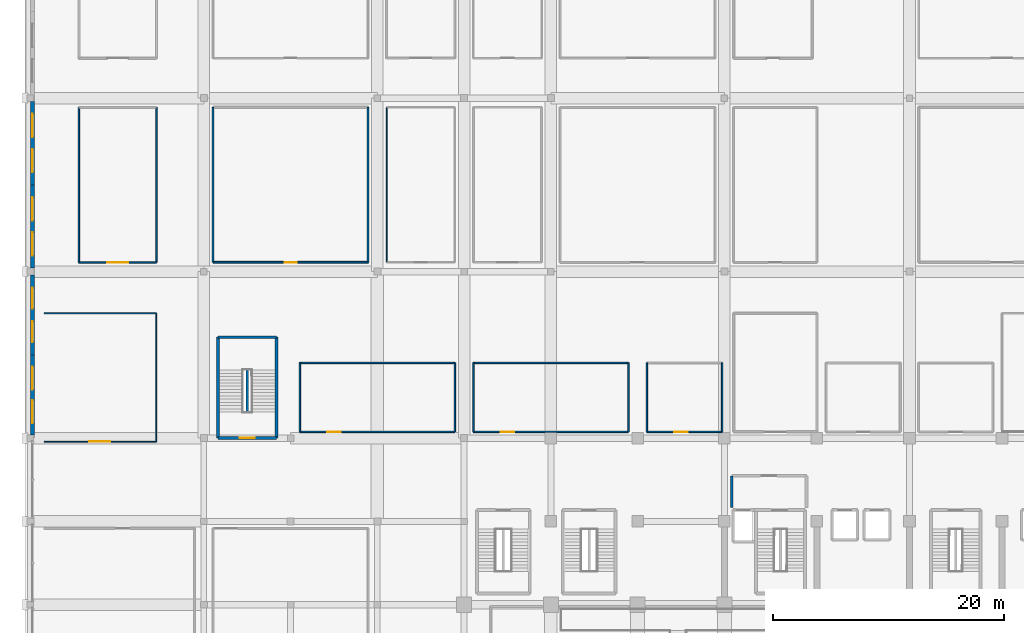
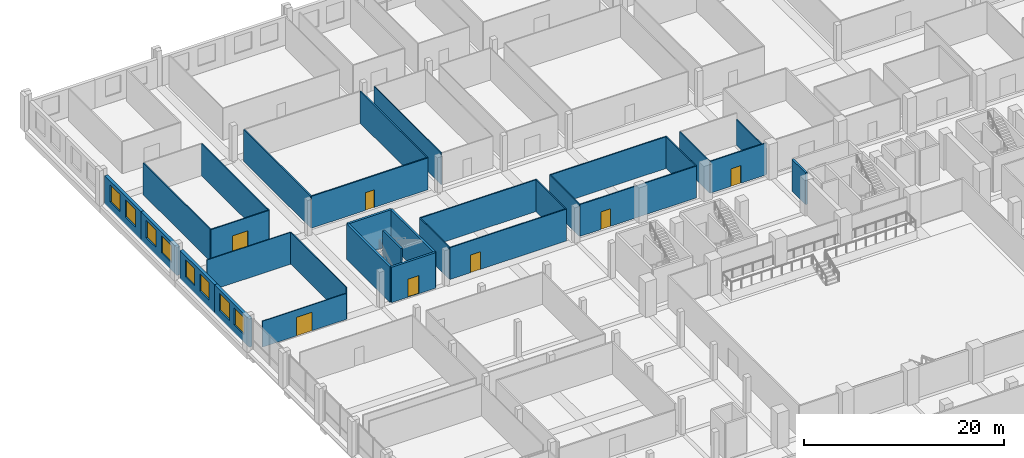
# One storey, part 46 of 68: 31 walls, 8 windows, 7 doors, 15 openings.
"""IFC4 building model written with IfcOpenShell, lengths in metres."""

from ifc_helpers import new_model, si_unit, direction, frame, frame_2d, origin, place, context, subcontext, project, spatial, rectangle, extrude, material, layer, layer_set, type_object, element, fill, save


model = new_model("IFC4")

# Units and contexts
model_context = context("Model", 3, precision=1e-05, world=origin(), true_north=direction((0.0, 1.0)))
body_context = subcontext(model_context, "Body", "Model", "MODEL_VIEW")
ifc_project = project(units=[si_unit("LENGTHUNIT", "METRE"), si_unit("AREAUNIT", "SQUARE_METRE"), si_unit("VOLUMEUNIT", "CUBIC_METRE"), si_unit("PLANEANGLEUNIT", "RADIAN"), si_unit("MASSUNIT", "GRAM", prefix="KILO")], contexts=[model_context])

# Site, building, storey
site_placement = place(None, origin())
site = spatial("IfcSite", under=ifc_project, at=site_placement, CompositionType="ELEMENT")
building_placement = place(site_placement, origin())
building = spatial("IfcBuilding", under=site, at=building_placement, Name="Akrevak Sports Hall", CompositionType="ELEMENT")
storey_placement = place(building_placement, frame((0.0, 0.0, 9.39990234375)))
storey = spatial("IfcBuildingStorey", under=building, at=storey_placement, Name="L02", CompositionType="ELEMENT", Elevation=9.39990234375)

# Wall, openings, windows
ifc_material_1 = material(Name="Limestone Ashlar", Category="stone")
ifc_layer_1 = layer(ifc_material_1, 0.080078125, Name="Limestone Ashlar")
ifc_material_2 = material(Name="Mineral Wool Thermal Insulation", Category="insulation")
ifc_layer_2 = layer(ifc_material_2, 0.10009765625, Name="Mineral Wool Thermal Insulation")
ifc_material_3 = material(Name="Concrete C40/50", Category="concrete")
ifc_layer_3 = layer(ifc_material_3, 0.179931640625, Name="Concrete C40/50")
ifc_layer_set_1 = layer_set([ifc_layer_1, ifc_layer_2, ifc_layer_3], Name="Limestone Ashlar / Mineral Wool Thermal Insulation / Concrete C40/50")
wall_type_1 = type_object("IfcWallType", Name="ARC-WL-EXT-360", PredefinedType="SOLIDWALL", material=ifc_layer_set_1)
wall_1_placement = place(storey_placement, frame((0.179931640625, 76.800048828125, 0.0), z_axis=(0.0, 0.0, 1.0), x_axis=(0.0, -1.0, 0.0)))
wall_1 = element("IfcWall", 1, at=wall_1_placement, inside=storey, type_object=wall_type_1, Name="Exterior Limestone Wall L02-W09", PredefinedType="SOLIDWALL", context=body_context, shape_type="SweptSolid", body=[
    extrude(rectangle(XDim=6.925048828125, YDim=0.360107421875, at=frame_2d((3.46240234375, 0.0))), origin(), (0.0, 0.0, 1.0), 3.4501953125),
])
opening_1_placement = place(wall_1_placement, frame((3.916748046875, 0.0, 0.919921875)))
opening_1 = element("IfcOpeningElement", 2, at=opening_1_placement, cuts=wall_1, Name="Opening WN-36", PredefinedType="OPENING", context=body_context, shape_type="SweptSolid", body=[
    extrude(rectangle(XDim=2.0, YDim=2.10009765625, at=frame_2d((1.0, 1.050048828125))), frame((0.0, 0.19189453125, 0.0), z_axis=(0.0, -1.0, 0.0), x_axis=(1.0, 0.0, 0.0)), (0.0, 0.0, 1.0), 0.384033203125),
])
opening_2_placement = place(wall_1_placement, frame((1.00830078125, 0.0, 0.919921875)))
opening_2 = element("IfcOpeningElement", 3, at=opening_2_placement, cuts=wall_1, Name="Opening WN-36", PredefinedType="OPENING", context=body_context, shape_type="SweptSolid", body=[
    extrude(rectangle(XDim=2.0, YDim=2.10009765625, at=frame_2d((1.0, 1.050048828125))), frame((0.0, 0.19189453125, 0.0), z_axis=(0.0, -1.0, 0.0), x_axis=(1.0, 0.0, 0.0)), (0.0, 0.0, 1.0), 0.384033203125),
])
ifc_material_4 = material(Name="Thermally Broken Bronze Frame & Double Low-E Glass", Category="glass")
window_type_1 = type_object("IfcWindowType", Name="ARC-WIN-SZ-2000x2100", PartitioningType="SINGLE_PANEL", PredefinedType="WINDOW", material=ifc_material_4)
window_1_placement = place(opening_1_placement, origin())
window_1 = element("IfcWindow", 4, at=window_1_placement, inside=storey, type_object=window_type_1, Name="Beaux-Arts Facade Window WIN-L02-W09-1", OverallHeight=2.10009765625, OverallWidth=2.0, PartitioningType="SINGLE_PANEL", PredefinedType="WINDOW", context=body_context, shape_type="SweptSolid", body=[
    extrude(rectangle(XDim=2.0, YDim=2.10009765625, at=frame_2d((1.0, 1.050048828125))), frame((0.0, 0.030029296875, 0.0), z_axis=(0.0, -1.0, 0.0), x_axis=(1.0, 0.0, 0.0)), (0.0, 0.0, 1.0), 0.06005859375),
])
fill(opening_1, window_1)
window_2_placement = place(opening_2_placement, origin())
window_2 = element("IfcWindow", 5, at=window_2_placement, inside=storey, type_object=window_type_1, Name="Beaux-Arts Facade Window WIN-L02-W09-2", OverallHeight=2.10009765625, OverallWidth=2.0, PartitioningType="SINGLE_PANEL", PredefinedType="WINDOW", context=body_context, shape_type="SweptSolid", body=[
    extrude(rectangle(XDim=2.0, YDim=2.10009765625, at=frame_2d((1.0, 1.050048828125))), frame((0.0, 0.030029296875, 0.0), z_axis=(0.0, -1.0, 0.0), x_axis=(1.0, 0.0, 0.0)), (0.0, 0.0, 1.0), 0.06005859375),
])
fill(opening_2, window_2)

wall_2_placement = place(storey_placement, frame((0.179931640625, 83.699951171875, 0.0), z_axis=(0.0, 0.0, 1.0), x_axis=(0.0, -1.0, 0.0)))
wall_2 = element("IfcWall", 6, at=wall_2_placement, inside=storey, type_object=wall_type_1, Name="Exterior Limestone Wall L02-W10", PredefinedType="SOLIDWALL", context=body_context, shape_type="SweptSolid", body=[
    extrude(rectangle(XDim=6.89990234375, YDim=0.360107421875, at=frame_2d((3.449951171875, 0.0))), origin(), (0.0, 0.0, 1.0), 3.4501953125),
])
opening_3_placement = place(wall_2_placement, frame((3.9990234375, 0.0, 0.919921875)))
opening_3 = element("IfcOpeningElement", 7, at=opening_3_placement, cuts=wall_2, Name="Opening WN-37", PredefinedType="OPENING", context=body_context, shape_type="SweptSolid", body=[
    extrude(rectangle(XDim=1.800048828125, YDim=2.10009765625, at=frame_2d((0.89990234375, 1.050048828125))), frame((0.0, 0.19189453125, 0.0), z_axis=(0.0, -1.0, 0.0), x_axis=(1.0, 0.0, 0.0)), (0.0, 0.0, 1.0), 0.384033203125),
])
opening_4_placement = place(wall_2_placement, frame((1.10107421875, 0.0, 0.919921875)))
opening_4 = element("IfcOpeningElement", 8, at=opening_4_placement, cuts=wall_2, Name="Opening WN-37", PredefinedType="OPENING", context=body_context, shape_type="SweptSolid", body=[
    extrude(rectangle(XDim=1.800048828125, YDim=2.10009765625, at=frame_2d((0.89990234375, 1.050048828125))), frame((0.0, 0.19189453125, 0.0), z_axis=(0.0, -1.0, 0.0), x_axis=(1.0, 0.0, 0.0)), (0.0, 0.0, 1.0), 0.384033203125),
])
window_type_2 = type_object("IfcWindowType", Name="ARC-WIN-SZ-1800x2100", PartitioningType="SINGLE_PANEL", PredefinedType="WINDOW", material=ifc_material_4)
window_3_placement = place(opening_3_placement, origin())
window_3 = element("IfcWindow", 9, at=window_3_placement, inside=storey, type_object=window_type_2, Name="Beaux-Arts Facade Window WIN-L02-W10-1", OverallHeight=2.10009765625, OverallWidth=1.800048828125, PartitioningType="SINGLE_PANEL", PredefinedType="WINDOW", context=body_context, shape_type="SweptSolid", body=[
    extrude(rectangle(XDim=1.800048828125, YDim=2.10009765625, at=frame_2d((0.89990234375, 1.050048828125))), frame((0.0, 0.030029296875, 0.0), z_axis=(0.0, -1.0, 0.0), x_axis=(1.0, 0.0, 0.0)), (0.0, 0.0, 1.0), 0.06005859375),
])
fill(opening_3, window_3)
window_4_placement = place(opening_4_placement, origin())
window_4 = element("IfcWindow", 10, at=window_4_placement, inside=storey, type_object=window_type_2, Name="Beaux-Arts Facade Window WIN-L02-W10-2", OverallHeight=2.10009765625, OverallWidth=1.800048828125, PartitioningType="SINGLE_PANEL", PredefinedType="WINDOW", context=body_context, shape_type="SweptSolid", body=[
    extrude(rectangle(XDim=1.800048828125, YDim=2.10009765625, at=frame_2d((0.89990234375, 1.050048828125))), frame((0.0, 0.030029296875, 0.0), z_axis=(0.0, -1.0, 0.0), x_axis=(1.0, 0.0, 0.0)), (0.0, 0.0, 1.0), 0.06005859375),
])
fill(opening_4, window_4)

wall_3_placement = place(storey_placement, frame((0.179931640625, 91.5, 0.0), z_axis=(0.0, 0.0, 1.0), x_axis=(0.0, -1.0, 0.0)))
wall_3 = element("IfcWall", 11, at=wall_3_placement, inside=storey, type_object=wall_type_1, Name="Exterior Limestone Wall L02-W11", PredefinedType="SOLIDWALL", context=body_context, shape_type="SweptSolid", body=[
    extrude(rectangle(XDim=7.199951171875, YDim=0.360107421875, at=frame_2d((3.60009765625, 0.0))), origin(), (0.0, 0.0, 1.0), 3.4501953125),
])
opening_5_placement = place(wall_3_placement, frame((4.112060546875, 0.0, 0.919921875)))
opening_5 = element("IfcOpeningElement", 12, at=opening_5_placement, cuts=wall_3, Name="Opening WN-36", PredefinedType="OPENING", context=body_context, shape_type="SweptSolid", body=[
    extrude(rectangle(XDim=2.0, YDim=2.10009765625, at=frame_2d((1.0, 1.050048828125))), frame((0.0, 0.19189453125, 0.0), z_axis=(0.0, -1.0, 0.0), x_axis=(1.0, 0.0, 0.0)), (0.0, 0.0, 1.0), 0.384033203125),
])
opening_6_placement = place(wall_3_placement, frame((1.087890625, 0.0, 0.919921875)))
opening_6 = element("IfcOpeningElement", 13, at=opening_6_placement, cuts=wall_3, Name="Opening WN-36", PredefinedType="OPENING", context=body_context, shape_type="SweptSolid", body=[
    extrude(rectangle(XDim=2.0, YDim=2.10009765625, at=frame_2d((1.0, 1.050048828125))), frame((0.0, 0.19189453125, 0.0), z_axis=(0.0, -1.0, 0.0), x_axis=(1.0, 0.0, 0.0)), (0.0, 0.0, 1.0), 0.384033203125),
])
window_5_placement = place(opening_5_placement, origin())
window_5 = element("IfcWindow", 14, at=window_5_placement, inside=storey, type_object=window_type_1, Name="Beaux-Arts Facade Window WIN-L02-W11-1", OverallHeight=2.10009765625, OverallWidth=2.0, PartitioningType="SINGLE_PANEL", PredefinedType="WINDOW", context=body_context, shape_type="SweptSolid", body=[
    extrude(rectangle(XDim=2.0, YDim=2.10009765625, at=frame_2d((1.0, 1.050048828125))), frame((0.0, 0.030029296875, 0.0), z_axis=(0.0, -1.0, 0.0), x_axis=(1.0, 0.0, 0.0)), (0.0, 0.0, 1.0), 0.06005859375),
])
fill(opening_5, window_5)
window_6_placement = place(opening_6_placement, origin())
window_6 = element("IfcWindow", 15, at=window_6_placement, inside=storey, type_object=window_type_1, Name="Beaux-Arts Facade Window WIN-L02-W11-2", OverallHeight=2.10009765625, OverallWidth=2.0, PartitioningType="SINGLE_PANEL", PredefinedType="WINDOW", context=body_context, shape_type="SweptSolid", body=[
    extrude(rectangle(XDim=2.0, YDim=2.10009765625, at=frame_2d((1.0, 1.050048828125))), frame((0.0, 0.030029296875, 0.0), z_axis=(0.0, -1.0, 0.0), x_axis=(1.0, 0.0, 0.0)), (0.0, 0.0, 1.0), 0.06005859375),
])
fill(opening_6, window_6)

wall_4_placement = place(storey_placement, frame((0.179931640625, 98.72509765625, 0.0), z_axis=(0.0, 0.0, 1.0), x_axis=(0.0, -1.0, 0.0)))
wall_4 = element("IfcWall", 16, at=wall_4_placement, inside=storey, type_object=wall_type_1, Name="Exterior Limestone Wall L02-W12", PredefinedType="SOLIDWALL", context=body_context, shape_type="SweptSolid", body=[
    extrude(rectangle(XDim=7.22509765625, YDim=0.360107421875, at=frame_2d((3.612548828125, 0.0))), origin(), (0.0, 0.0, 1.0), 3.4501953125),
])
opening_7_placement = place(wall_4_placement, frame((4.1298828125, 0.0, 0.919921875)))
opening_7 = element("IfcOpeningElement", 17, at=opening_7_placement, cuts=wall_4, Name="Opening WN-36", PredefinedType="OPENING", context=body_context, shape_type="SweptSolid", body=[
    extrude(rectangle(XDim=2.0, YDim=2.10009765625, at=frame_2d((1.0, 1.050048828125))), frame((0.0, 0.19189453125, 0.0), z_axis=(0.0, -1.0, 0.0), x_axis=(1.0, 0.0, 0.0)), (0.0, 0.0, 1.0), 0.384033203125),
])
opening_8_placement = place(wall_4_placement, frame((1.09521484375, 0.0, 0.919921875)))
opening_8 = element("IfcOpeningElement", 18, at=opening_8_placement, cuts=wall_4, Name="Opening WN-36", PredefinedType="OPENING", context=body_context, shape_type="SweptSolid", body=[
    extrude(rectangle(XDim=2.0, YDim=2.10009765625, at=frame_2d((1.0, 1.050048828125))), frame((0.0, 0.19189453125, 0.0), z_axis=(0.0, -1.0, 0.0), x_axis=(1.0, 0.0, 0.0)), (0.0, 0.0, 1.0), 0.384033203125),
])
window_7_placement = place(opening_7_placement, origin())
window_7 = element("IfcWindow", 19, at=window_7_placement, inside=storey, type_object=window_type_1, Name="Beaux-Arts Facade Window WIN-L02-W12-1", OverallHeight=2.10009765625, OverallWidth=2.0, PartitioningType="SINGLE_PANEL", PredefinedType="WINDOW", context=body_context, shape_type="SweptSolid", body=[
    extrude(rectangle(XDim=2.0, YDim=2.10009765625, at=frame_2d((1.0, 1.050048828125))), frame((0.0, 0.030029296875, 0.0), z_axis=(0.0, -1.0, 0.0), x_axis=(1.0, 0.0, 0.0)), (0.0, 0.0, 1.0), 0.06005859375),
])
fill(opening_7, window_7)
window_8_placement = place(opening_8_placement, origin())
window_8 = element("IfcWindow", 20, at=window_8_placement, inside=storey, type_object=window_type_1, Name="Beaux-Arts Facade Window WIN-L02-W12-2", OverallHeight=2.10009765625, OverallWidth=2.0, PartitioningType="SINGLE_PANEL", PredefinedType="WINDOW", context=body_context, shape_type="SweptSolid", body=[
    extrude(rectangle(XDim=2.0, YDim=2.10009765625, at=frame_2d((1.0, 1.050048828125))), frame((0.0, 0.030029296875, 0.0), z_axis=(0.0, -1.0, 0.0), x_axis=(1.0, 0.0, 0.0)), (0.0, 0.0, 1.0), 0.06005859375),
])
fill(opening_8, window_8)

# Wall
ifc_material_5 = material(Name="Sanitary Cubicle Partition", Category="gypsum")
ifc_layer_4 = layer(ifc_material_5, 0.10009765625, Name="Sanitary Cubicle Partition")
ifc_layer_set_2 = layer_set([ifc_layer_4], Name="Sanitary Cubicle Partition")
wall_type_2 = type_object("IfcWallType", Name="ARC-WL-PRT-100", PredefinedType="PARTITIONING", material=ifc_layer_set_2)
wall_5_placement = place(storey_placement, frame((30.800048828125, 84.800048828125, 0.0), z_axis=(0.0, 0.0, 1.0), x_axis=(0.0, 1.0, 0.0)))
element("IfcWall", 21, at=wall_5_placement, inside=storey, type_object=wall_type_2, Name="Interior Partition Sports Clinic Recovery & Physiotherapy Room L02-3 (W)", PredefinedType="PARTITIONING", context=body_context, shape_type="SweptSolid", body=[
    extrude(rectangle(XDim=13.39990234375, YDim=0.10009765625, at=frame_2d((6.699951171875, 0.0))), origin(), (0.0, 0.0, 1.0), 3.880126953125),
])

# Wall, opening, door
wall_6_placement = place(storey_placement, frame((1.199951171875, 69.300048828125, 0.0), z_axis=(0.0, 0.0, 1.0), x_axis=(1.0, 0.0, 0.0)))
wall_6 = element("IfcWall", 22, at=wall_6_placement, inside=storey, type_object=wall_type_2, Name="Interior Partition North-West Team Kit Storage L02 (S)", PredefinedType="PARTITIONING", context=body_context, shape_type="SweptSolid", body=[
    extrude(rectangle(XDim=9.699951171875, YDim=0.10009765625, at=frame_2d((4.85009765625, 0.0))), origin(), (0.0, 0.0, 1.0), 3.150146484375),
])
opening_9_placement = place(wall_6_placement, frame((3.89990234375, 0.0, 0.0)))
opening_9 = element("IfcOpeningElement", 23, at=opening_9_placement, cuts=wall_6, Name="Opening ID-02", PredefinedType="OPENING", context=body_context, shape_type="SweptSolid", body=[
    extrude(rectangle(XDim=1.800048828125, YDim=2.25, at=frame_2d((0.89990234375, 1.125))), frame((0.0, 0.06201171875, 0.0), z_axis=(0.0, -1.0, 0.0), x_axis=(1.0, 0.0, 0.0)), (0.0, 0.0, 1.0), 0.1240234375),
])
ifc_material_6 = material(Name="Hardwood Oak & Safety Glass", Category="wood")
door_type_1 = type_object("IfcDoorType", Name="ARC-DR-HALL-180x225", OperationType="DOUBLE_DOOR_SINGLE_SWING", PredefinedType="DOOR", material=ifc_material_6)
door_1_placement = place(opening_9_placement, origin())
door_1 = element("IfcDoor", 24, at=door_1_placement, inside=storey, type_object=door_type_1, Name="Door to North-West Team Kit Storage L02", OperationType="DOUBLE_DOOR_SINGLE_SWING", OverallHeight=2.25, OverallWidth=1.800048828125, PredefinedType="DOOR", context=body_context, shape_type="SweptSolid", body=[
    extrude(rectangle(XDim=1.800048828125, YDim=2.25, at=frame_2d((0.89990234375, 1.125))), frame((0.0, 0.02490234375, 0.0), z_axis=(0.0, -1.0, 0.0), x_axis=(1.0, 0.0, 0.0)), (0.0, 0.0, 1.0), 0.050048828125),
])
fill(opening_9, door_1)

# Walls
wall_7_placement = place(storey_placement, frame((1.199951171875, 80.39990234375, 0.0), z_axis=(0.0, 0.0, 1.0), x_axis=(1.0, 0.0, 0.0)))
element("IfcWall", 25, at=wall_7_placement, inside=storey, type_object=wall_type_2, Name="Interior Partition North-West Team Kit Storage L02 (N)", PredefinedType="PARTITIONING", context=body_context, shape_type="SweptSolid", body=[
    extrude(rectangle(XDim=9.699951171875, YDim=0.10009765625, at=frame_2d((4.85009765625, 0.0))), origin(), (0.0, 0.0, 1.0), 3.880126953125),
])
wall_8_placement = place(storey_placement, frame((10.89990234375, 69.300048828125, 0.0), z_axis=(0.0, 0.0, 1.0), x_axis=(0.0, 1.0, 0.0)))
element("IfcWall", 26, at=wall_8_placement, inside=storey, type_object=wall_type_2, Name="Interior Partition North-West Team Kit Storage L02 (E)", PredefinedType="PARTITIONING", context=body_context, shape_type="SweptSolid", body=[
    extrude(rectangle(XDim=11.099853515625, YDim=0.10009765625, at=frame_2d((5.5498046875, 0.0))), origin(), (0.0, 0.0, 1.0), 3.880126953125),
])

# Wall, opening, door
ifc_material_7 = material(Name="Acoustic Metal Stud Partition", Category="gypsum")
ifc_layer_5 = layer(ifc_material_7, 0.1298828125, Name="Acoustic Metal Stud Partition")
ifc_layer_set_3 = layer_set([ifc_layer_5], Name="Acoustic Metal Stud Partition")
wall_type_3 = type_object("IfcWallType", Name="ARC-WL-PRT-130", PredefinedType="PARTITIONING", material=ifc_layer_set_3)
wall_9_placement = place(storey_placement, frame((23.300048828125, 70.14990234375, 0.0), z_axis=(0.0, 0.0, 1.0), x_axis=(1.0, 0.0, 0.0)))
wall_9 = element("IfcWall", 27, at=wall_9_placement, inside=storey, type_object=wall_type_3, Name="Interior Partition Changing Room 9 - Basketball Home (S)", PredefinedType="PARTITIONING", context=body_context, shape_type="SweptSolid", body=[
    extrude(rectangle(XDim=13.39990234375, YDim=0.1298828125, at=frame_2d((6.699951171875, 0.0))), origin(), (0.0, 0.0, 1.0), 3.880126953125),
])
opening_10_placement = place(wall_9_placement, frame((2.375, 0.0, 0.0)))
opening_10 = element("IfcOpeningElement", 28, at=opening_10_placement, cuts=wall_9, Name="Opening ID-07", PredefinedType="OPENING", context=body_context, shape_type="SweptSolid", body=[
    extrude(rectangle(XDim=1.14990234375, YDim=2.14990234375, at=frame_2d((0.574951171875, 1.074951171875))), frame((0.0, 0.076904296875, 0.0), z_axis=(0.0, -1.0, 0.0), x_axis=(1.0, 0.0, 0.0)), (0.0, 0.0, 1.0), 0.15380859375),
])
ifc_material_8 = material(Name="High-Pressure Laminate & Aluminium", Category="aluminium")
door_type_2 = type_object("IfcDoorType", Name="ARC-DR-CHG-115x215", OperationType="NOTDEFINED", PredefinedType="DOOR", material=ifc_material_8)
door_2_placement = place(opening_10_placement, frame((1.14990234375, 0.0, 0.0), z_axis=(0.0, 0.0, 1.0), x_axis=(-1.0, 0.0, 0.0)))
door_2 = element("IfcDoor", 29, at=door_2_placement, inside=storey, type_object=door_type_2, Name="Door to Changing Room 9 - Basketball Home", OperationType="SINGLE_SWING_RIGHT", OverallHeight=2.14990234375, OverallWidth=1.14990234375, PredefinedType="DOOR", context=body_context, shape_type="SweptSolid", body=[
    extrude(rectangle(XDim=1.14990234375, YDim=2.14990234375, at=frame_2d((0.574951171875, 1.074951171875))), frame((0.0, 0.02490234375, 0.0), z_axis=(0.0, -1.0, 0.0), x_axis=(1.0, 0.0, 0.0)), (0.0, 0.0, 1.0), 0.050048828125),
])
fill(opening_10, door_2)

# Walls
wall_10_placement = place(storey_placement, frame((23.300048828125, 76.10009765625, 0.0), z_axis=(0.0, 0.0, 1.0), x_axis=(1.0, 0.0, 0.0)))
element("IfcWall", 30, at=wall_10_placement, inside=storey, type_object=wall_type_3, Name="Interior Partition Changing Room 9 - Basketball Home (N)", PredefinedType="PARTITIONING", context=body_context, shape_type="SweptSolid", body=[
    extrude(rectangle(XDim=13.39990234375, YDim=0.1298828125, at=frame_2d((6.699951171875, 0.0))), origin(), (0.0, 0.0, 1.0), 3.880126953125),
])
for number, where, z_axis, x_axis, name in (
    (31, (23.300048828125, 70.14990234375, 0.0), (0.0, 0.0, 1.0), (0.0, 1.0, 0.0), "Interior Partition Changing Room 9 - Basketball Home (W)"),
    (32, (36.699951171875, 70.14990234375, 0.0), (0.0, 0.0, 1.0), (0.0, 1.0, 0.0), "Interior Partition Changing Room 9 - Basketball Home (E)"),
):
    element("IfcWall", number, at=place(storey_placement, frame(where, z_axis=z_axis, x_axis=x_axis)), inside=storey, type_object=wall_type_3, Name=name, PredefinedType="PARTITIONING", context=body_context, shape_type="SweptSolid", body=[
        extrude(rectangle(XDim=5.9501953125, YDim=0.1298828125, at=frame_2d((2.97509765625, 0.0))), origin(), (0.0, 0.0, 1.0), 3.880126953125),
    ])

# Wall, opening, door
wall_11_placement = place(storey_placement, frame((38.300048828125, 70.14990234375, 0.0), z_axis=(0.0, 0.0, 1.0), x_axis=(1.0, 0.0, 0.0)))
wall_11 = element("IfcWall", 33, at=wall_11_placement, inside=storey, type_object=wall_type_3, Name="Interior Partition Changing Room 10 - Basketball Visiting (S)", PredefinedType="PARTITIONING", context=body_context, shape_type="SweptSolid", body=[
    extrude(rectangle(XDim=13.39990234375, YDim=0.1298828125, at=frame_2d((6.699951171875, 0.0))), origin(), (0.0, 0.0, 1.0), 3.880126953125),
])
opening_11_placement = place(wall_11_placement, frame((2.375, 0.0, 0.0)))
opening_11 = element("IfcOpeningElement", 34, at=opening_11_placement, cuts=wall_11, Name="Opening ID-07", PredefinedType="OPENING", context=body_context, shape_type="SweptSolid", body=[
    extrude(rectangle(XDim=1.14990234375, YDim=2.14990234375, at=frame_2d((0.574951171875, 1.074951171875))), frame((0.0, 0.076904296875, 0.0), z_axis=(0.0, -1.0, 0.0), x_axis=(1.0, 0.0, 0.0)), (0.0, 0.0, 1.0), 0.15380859375),
])
door_3_placement = place(opening_11_placement, origin())
door_3 = element("IfcDoor", 35, at=door_3_placement, inside=storey, type_object=door_type_2, Name="Door to Changing Room 10 - Basketball Visiting", OperationType="SINGLE_SWING_LEFT", OverallHeight=2.14990234375, OverallWidth=1.14990234375, PredefinedType="DOOR", context=body_context, shape_type="SweptSolid", body=[
    extrude(rectangle(XDim=1.14990234375, YDim=2.14990234375, at=frame_2d((0.574951171875, 1.074951171875))), frame((0.0, 0.02490234375, 0.0), z_axis=(0.0, -1.0, 0.0), x_axis=(1.0, 0.0, 0.0)), (0.0, 0.0, 1.0), 0.050048828125),
])
fill(opening_11, door_3)

# Walls
wall_12_placement = place(storey_placement, frame((38.300048828125, 76.10009765625, 0.0), z_axis=(0.0, 0.0, 1.0), x_axis=(1.0, 0.0, 0.0)))
element("IfcWall", 36, at=wall_12_placement, inside=storey, type_object=wall_type_3, Name="Interior Partition Changing Room 10 - Basketball Visiting (N)", PredefinedType="PARTITIONING", context=body_context, shape_type="SweptSolid", body=[
    extrude(rectangle(XDim=13.39990234375, YDim=0.1298828125, at=frame_2d((6.699951171875, 0.0))), origin(), (0.0, 0.0, 1.0), 3.880126953125),
])
for number, where, z_axis, x_axis, name in (
    (37, (38.300048828125, 70.14990234375, 0.0), (0.0, 0.0, 1.0), (0.0, 1.0, 0.0), "Interior Partition Changing Room 10 - Basketball Visiting (W)"),
    (38, (51.699951171875, 70.14990234375, 0.0), (0.0, 0.0, 1.0), (0.0, 1.0, 0.0), "Interior Partition Changing Room 10 - Basketball Visiting (E)"),
):
    element("IfcWall", number, at=place(storey_placement, frame(where, z_axis=z_axis, x_axis=x_axis)), inside=storey, type_object=wall_type_3, Name=name, PredefinedType="PARTITIONING", context=body_context, shape_type="SweptSolid", body=[
        extrude(rectangle(XDim=5.9501953125, YDim=0.1298828125, at=frame_2d((2.97509765625, 0.0))), origin(), (0.0, 0.0, 1.0), 3.880126953125),
    ])

# Wall, opening, door
wall_13_placement = place(storey_placement, frame((53.300048828125, 70.14990234375, 0.0), z_axis=(0.0, 0.0, 1.0), x_axis=(1.0, 0.0, 0.0)))
wall_13 = element("IfcWall", 39, at=wall_13_placement, inside=storey, type_object=wall_type_3, Name="Interior Partition Changing Room 11 - Volleyball Home (S)", PredefinedType="PARTITIONING", context=body_context, shape_type="SweptSolid", body=[
    extrude(rectangle(XDim=6.5, YDim=0.1298828125, at=frame_2d((3.25, 0.0))), origin(), (0.0, 0.0, 1.0), 3.880126953125),
])
opening_12_placement = place(wall_13_placement, frame((2.375, 0.0, 0.0)))
opening_12 = element("IfcOpeningElement", 40, at=opening_12_placement, cuts=wall_13, Name="Opening ID-07", PredefinedType="OPENING", context=body_context, shape_type="SweptSolid", body=[
    extrude(rectangle(XDim=1.14990234375, YDim=2.14990234375, at=frame_2d((0.574951171875, 1.074951171875))), frame((0.0, 0.076904296875, 0.0), z_axis=(0.0, -1.0, 0.0), x_axis=(1.0, 0.0, 0.0)), (0.0, 0.0, 1.0), 0.15380859375),
])
door_4_placement = place(opening_12_placement, frame((1.14990234375, 0.0, 0.0), z_axis=(0.0, 0.0, 1.0), x_axis=(-1.0, 0.0, 0.0)))
door_4 = element("IfcDoor", 41, at=door_4_placement, inside=storey, type_object=door_type_2, Name="Door to Changing Room 11 - Volleyball Home", OperationType="SINGLE_SWING_RIGHT", OverallHeight=2.14990234375, OverallWidth=1.14990234375, PredefinedType="DOOR", context=body_context, shape_type="SweptSolid", body=[
    extrude(rectangle(XDim=1.14990234375, YDim=2.14990234375, at=frame_2d((0.574951171875, 1.074951171875))), frame((0.0, 0.02490234375, 0.0), z_axis=(0.0, -1.0, 0.0), x_axis=(1.0, 0.0, 0.0)), (0.0, 0.0, 1.0), 0.050048828125),
])
fill(opening_12, door_4)

# Walls
wall_14_placement = place(storey_placement, frame((53.300048828125, 70.14990234375, 0.0), z_axis=(0.0, 0.0, 1.0), x_axis=(0.0, 1.0, 0.0)))
element("IfcWall", 42, at=wall_14_placement, inside=storey, type_object=wall_type_3, Name="Interior Partition Changing Room 11 - Volleyball Home (W)", PredefinedType="PARTITIONING", context=body_context, shape_type="SweptSolid", body=[
    extrude(rectangle(XDim=5.9501953125, YDim=0.1298828125, at=frame_2d((2.97509765625, 0.0))), origin(), (0.0, 0.0, 1.0), 3.880126953125),
])
wall_15_placement = place(storey_placement, frame((59.800048828125, 70.14990234375, 0.0), z_axis=(0.0, 0.0, 1.0), x_axis=(0.0, 1.0, 0.0)))
element("IfcWall", 43, at=wall_15_placement, inside=storey, type_object=wall_type_3, Name="Interior Partition Changing Room 11 - Volleyball Home (E)", PredefinedType="PARTITIONING", context=body_context, shape_type="SweptSolid", body=[
    extrude(rectangle(XDim=5.9501953125, YDim=0.1298828125, at=frame_2d((2.97509765625, 0.0))), origin(), (0.0, 0.0, 1.0), 3.150146484375),
])

# Wall, opening, door
wall_16_placement = place(storey_placement, frame((4.199951171875, 84.800048828125, 0.0), z_axis=(0.0, 0.0, 1.0), x_axis=(1.0, 0.0, 0.0)))
wall_16 = element("IfcWall", 44, at=wall_16_placement, inside=storey, type_object=wall_type_3, Name="Interior Partition Athletic Gear & Equipment Storage L02-1 (S)", PredefinedType="PARTITIONING", context=body_context, shape_type="SweptSolid", body=[
    extrude(rectangle(XDim=6.699951171875, YDim=0.1298828125, at=frame_2d((3.35009765625, 0.0))), origin(), (0.0, 0.0, 1.0), 3.880126953125),
])
opening_13_placement = place(wall_16_placement, frame((2.449951171875, 0.0, 0.0)))
opening_13 = element("IfcOpeningElement", 45, at=opening_13_placement, cuts=wall_16, Name="Opening ID-02", PredefinedType="OPENING", context=body_context, shape_type="SweptSolid", body=[
    extrude(rectangle(XDim=1.800048828125, YDim=2.25, at=frame_2d((0.89990234375, 1.125))), frame((0.0, 0.076904296875, 0.0), z_axis=(0.0, -1.0, 0.0), x_axis=(1.0, 0.0, 0.0)), (0.0, 0.0, 1.0), 0.15380859375),
])
door_5_placement = place(opening_13_placement, origin())
door_5 = element("IfcDoor", 46, at=door_5_placement, inside=storey, type_object=door_type_1, Name="Door to Athletic Gear & Equipment Storage L02-1", OperationType="DOUBLE_DOOR_SINGLE_SWING", OverallHeight=2.25, OverallWidth=1.800048828125, PredefinedType="DOOR", context=body_context, shape_type="SweptSolid", body=[
    extrude(rectangle(XDim=1.800048828125, YDim=2.25, at=frame_2d((0.89990234375, 1.125))), frame((0.0, 0.02490234375, 0.0), z_axis=(0.0, -1.0, 0.0), x_axis=(1.0, 0.0, 0.0)), (0.0, 0.0, 1.0), 0.050048828125),
])
fill(opening_13, door_5)

# Walls
for number, where, z_axis, x_axis, name in (
    (47, (4.199951171875, 84.800048828125, 0.0), (0.0, 0.0, 1.0), (0.0, 1.0, 0.0), "Interior Partition Athletic Gear & Equipment Storage L02-1 (W)"),
    (48, (10.89990234375, 84.800048828125, 0.0), (0.0, 0.0, 1.0), (0.0, 1.0, 0.0), "Interior Partition Athletic Gear & Equipment Storage L02-1 (E)"),
):
    element("IfcWall", number, at=place(storey_placement, frame(where, z_axis=z_axis, x_axis=x_axis)), inside=storey, type_object=wall_type_3, Name=name, PredefinedType="PARTITIONING", context=body_context, shape_type="SweptSolid", body=[
        extrude(rectangle(XDim=13.39990234375, YDim=0.1298828125, at=frame_2d((6.699951171875, 0.0))), origin(), (0.0, 0.0, 1.0), 3.880126953125),
    ])

# Wall, opening, door
ifc_material_9 = material(Name="Double Stud Acoustic Gypsum Partition", Category="gypsum")
ifc_layer_6 = layer(ifc_material_9, 0.14990234375, Name="Double Stud Acoustic Gypsum Partition")
ifc_layer_set_4 = layer_set([ifc_layer_6], Name="Double Stud Acoustic Gypsum Partition")
wall_type_4 = type_object("IfcWallType", Name="ARC-WL-PRT-150", PredefinedType="PARTITIONING", material=ifc_layer_set_4)
wall_17_placement = place(storey_placement, frame((15.800048828125, 84.800048828125, 0.0), z_axis=(0.0, 0.0, 1.0), x_axis=(1.0, 0.0, 0.0)))
wall_17 = element("IfcWall", 49, at=wall_17_placement, inside=storey, type_object=wall_type_4, Name="Interior Partition Sports Federation Training Office L02-2 (S)", PredefinedType="PARTITIONING", context=body_context, shape_type="SweptSolid", body=[
    extrude(rectangle(XDim=13.39990234375, YDim=0.14990234375, at=frame_2d((6.699951171875, 0.0))), origin(), (0.0, 0.0, 1.0), 3.880126953125),
])
opening_14_placement = place(wall_17_placement, frame((6.175048828125, 0.0, 0.0)))
opening_14 = element("IfcOpeningElement", 50, at=opening_14_placement, cuts=wall_17, Name="Opening ID-05", PredefinedType="OPENING", context=body_context, shape_type="SweptSolid", body=[
    extrude(rectangle(XDim=1.050048828125, YDim=2.14990234375, at=frame_2d((0.52490234375, 1.074951171875))), frame((0.0, 0.0869140625, 0.0), z_axis=(0.0, -1.0, 0.0), x_axis=(1.0, 0.0, 0.0)), (0.0, 0.0, 1.0), 0.173828125),
])
ifc_material_10 = material(Name="Hardwood Oak Acoustic Leaf", Category="wood")
door_type_3 = type_object("IfcDoorType", Name="ARC-DR-OFF-105x215", OperationType="NOTDEFINED", PredefinedType="DOOR", material=ifc_material_10)
door_6_placement = place(opening_14_placement, frame((1.050048828125, 0.0, 0.0), z_axis=(0.0, 0.0, 1.0), x_axis=(-1.0, 0.0, 0.0)))
door_6 = element("IfcDoor", 51, at=door_6_placement, inside=storey, type_object=door_type_3, Name="Door to Sports Federation Training Office L02-2", OperationType="SINGLE_SWING_RIGHT", OverallHeight=2.14990234375, OverallWidth=1.050048828125, PredefinedType="DOOR", context=body_context, shape_type="SweptSolid", body=[
    extrude(rectangle(XDim=1.050048828125, YDim=2.14990234375, at=frame_2d((0.52490234375, 1.074951171875))), frame((0.0, 0.02490234375, 0.0), z_axis=(0.0, -1.0, 0.0), x_axis=(1.0, 0.0, 0.0)), (0.0, 0.0, 1.0), 0.050048828125),
])
fill(opening_14, door_6)

# Walls
for number, where, z_axis, x_axis, name in (
    (52, (15.800048828125, 84.800048828125, 0.0), (0.0, 0.0, 1.0), (0.0, 1.0, 0.0), "Interior Partition Sports Federation Training Office L02-2 (W)"),
    (53, (29.199951171875, 84.800048828125, 0.0), (0.0, 0.0, 1.0), (0.0, 1.0, 0.0), "Interior Partition Sports Federation Training Office L02-2 (E)"),
):
    element("IfcWall", number, at=place(storey_placement, frame(where, z_axis=z_axis, x_axis=x_axis)), inside=storey, type_object=wall_type_4, Name=name, PredefinedType="PARTITIONING", context=body_context, shape_type="SweptSolid", body=[
        extrude(rectangle(XDim=13.39990234375, YDim=0.14990234375, at=frame_2d((6.699951171875, 0.0))), origin(), (0.0, 0.0, 1.0), 3.880126953125),
    ])
ifc_layer_7 = layer(ifc_material_3, 0.219970703125, Name="Concrete C40/50")
ifc_layer_set_5 = layer_set([ifc_layer_7], Name="Concrete C40/50")
wall_type_5 = type_object("IfcWallType", Name="ARC-WL-PRT-220", PredefinedType="PARTITIONING", material=ifc_layer_set_5)
wall_18_placement = place(storey_placement, frame((18.75, 71.85009765625, 0.0), z_axis=(0.0, 0.0, 1.0), x_axis=(0.0, 1.0, 0.0)))
element("IfcWall", 54, at=wall_18_placement, inside=storey, type_object=wall_type_5, Name="Stair ST6 Central Spine Wall (L02)", PredefinedType="PARTITIONING", context=body_context, shape_type="SweptSolid", body=[
    extrude(rectangle(XDim=3.639892578125, YDim=0.219970703125, at=frame_2d((1.81982421875, 0.0))), origin(), (0.0, 0.0, 1.0), 4.320068359375),
])
wall_19_placement = place(storey_placement, frame((60.64990234375, 63.60009765625, 0.0), z_axis=(0.0, 0.0, 1.0), x_axis=(0.0, 1.0, 0.0)))
element("IfcWall", 55, at=wall_19_placement, inside=storey, type_object=wall_type_5, Name="Interior Partition Firefighting Lobby West L02 (W)", PredefinedType="PARTITIONING", context=body_context, shape_type="SweptSolid", body=[
    extrude(rectangle(XDim=2.75, YDim=0.219970703125, at=frame_2d((1.375, 0.0))), origin(), (0.0, 0.0, 1.0), 3.880126953125),
])

# Wall, opening, door
ifc_material_11 = material(Name="Concrete C50/60", Category="concrete")
ifc_layer_8 = layer(ifc_material_11, 0.25, Name="Concrete C50/60")
ifc_layer_set_6 = layer_set([ifc_layer_8], Name="Concrete C50/60")
wall_type_6 = type_object("IfcWallType", Name="STR-WL-STAIR-250", PredefinedType="SHEAR", material=ifc_layer_set_6)
wall_20_placement = place(storey_placement, frame((16.22509765625, 69.625, 0.0), z_axis=(0.0, 0.0, 1.0), x_axis=(1.0, 0.0, 0.0)))
wall_20 = element("IfcWall", 56, at=wall_20_placement, inside=storey, type_object=wall_type_6, Name="Stair Core ST6 Shear Wall S (L02)", PredefinedType="SHEAR", context=body_context, shape_type="SweptSolid", body=[
    extrude(rectangle(XDim=5.0498046875, YDim=0.25, at=frame_2d((2.52490234375, 0.0))), origin(), (0.0, 0.0, 1.0), 4.320068359375),
])
opening_15_placement = place(wall_20_placement, frame((1.875, 0.0, 0.0)))
opening_15 = element("IfcOpeningElement", 57, at=opening_15_placement, cuts=wall_20, Name="Opening SD-01", PredefinedType="OPENING", context=body_context, shape_type="SweptSolid", body=[
    extrude(rectangle(XDim=1.300048828125, YDim=2.199951171875, at=frame_2d((0.64990234375, 1.10009765625))), frame((0.0, 0.136962890625, 0.0), z_axis=(0.0, -1.0, 0.0), x_axis=(1.0, 0.0, 0.0)), (0.0, 0.0, 1.0), 0.27392578125),
])
ifc_material_12 = material(Name="Fire-Rated Galvanized Door Steel", Category="steel")
door_type_4 = type_object("IfcDoorType", Name="ARC-DR-STAIR-130x220", OperationType="NOTDEFINED", PredefinedType="DOOR", material=ifc_material_12)
door_7_placement = place(opening_15_placement, origin())
door_7 = element("IfcDoor", 58, at=door_7_placement, inside=storey, type_object=door_type_4, Name="Exit Stair ST6 Door (L02)", OperationType="SINGLE_SWING_LEFT", OverallHeight=2.199951171875, OverallWidth=1.300048828125, PredefinedType="DOOR", context=body_context, shape_type="SweptSolid", body=[
    extrude(rectangle(XDim=1.300048828125, YDim=2.199951171875, at=frame_2d((0.64990234375, 1.10009765625))), frame((0.0, 0.02490234375, 0.0), z_axis=(0.0, -1.0, 0.0), x_axis=(1.0, 0.0, 0.0)), (0.0, 0.0, 1.0), 0.050048828125),
])
fill(opening_15, door_7)

# Walls
wall_21_placement = place(storey_placement, frame((21.27490234375, 78.324951171875, 0.0), z_axis=(0.0, 0.0, 1.0), x_axis=(-1.0, 0.0, 0.0)))
element("IfcWall", 59, at=wall_21_placement, inside=storey, type_object=wall_type_6, Name="Stair Core ST6 Shear Wall N (L02)", PredefinedType="SHEAR", context=body_context, shape_type="SweptSolid", body=[
    extrude(rectangle(XDim=5.0498046875, YDim=0.25, at=frame_2d((2.52490234375, 0.0))), origin(), (0.0, 0.0, 1.0), 4.320068359375),
])
for number, where, z_axis, x_axis, name in (
    (60, (16.22509765625, 78.324951171875, 0.0), (0.0, 0.0, 1.0), (0.0, -1.0, 0.0), "Stair Core ST6 Shear Wall W (L02)"),
    (61, (21.27490234375, 69.625, 0.0), (0.0, 0.0, 1.0), (0.0, 1.0, 0.0), "Stair Core ST6 Shear Wall E (L02)"),
):
    element("IfcWall", number, at=place(storey_placement, frame(where, z_axis=z_axis, x_axis=x_axis)), inside=storey, type_object=wall_type_6, Name=name, PredefinedType="SHEAR", context=body_context, shape_type="SweptSolid", body=[
        extrude(rectangle(XDim=8.699951171875, YDim=0.25, at=frame_2d((4.35009765625, 0.0))), origin(), (0.0, 0.0, 1.0), 4.320068359375),
    ])

save(model, "model.ifc")
